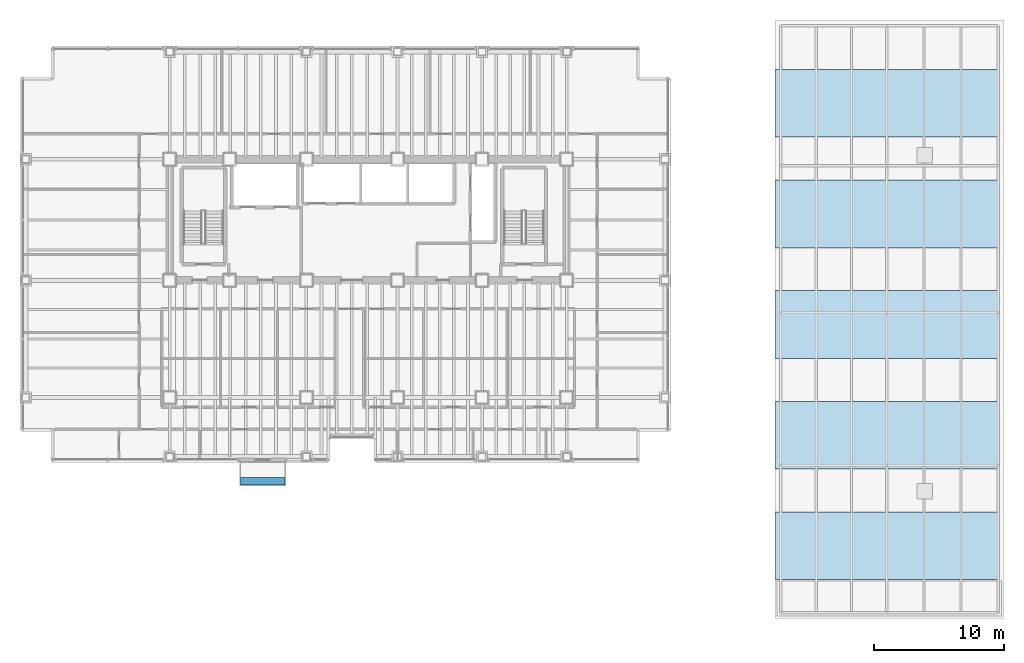
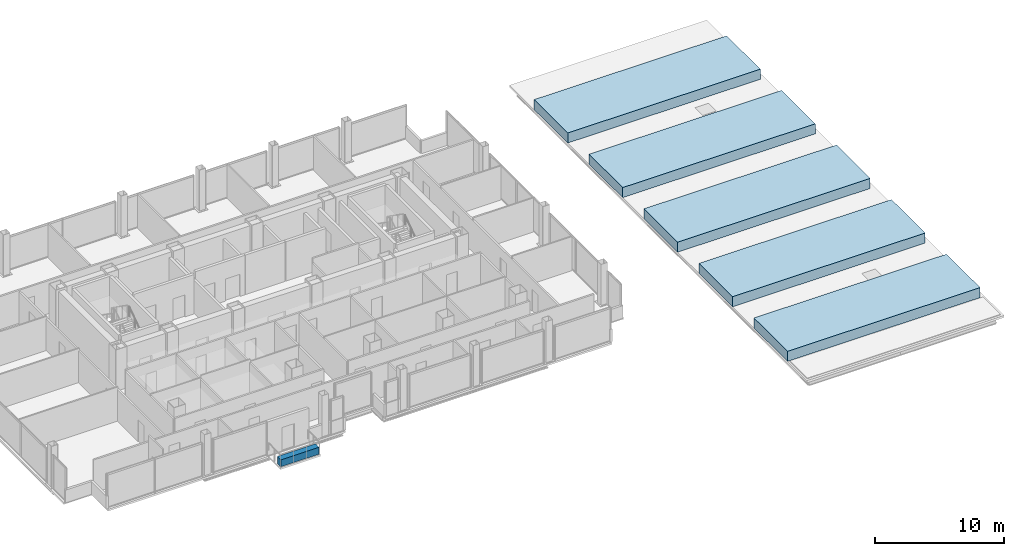
# One storey, part 28 of 30: 5 roofs, 1 discrete accessory.
"""IFC4 building model written with IfcOpenShell, lengths in metres."""

from ifc_helpers import new_model, si_unit, direction, frame, origin, origin_2d, place, context, subcontext, project, spatial, polyline, rectangle, outline, extrude, material, layer, layer_set, type_object, element, save


model = new_model("IFC4")

# Units and contexts
model_context = context("Model", 3, precision=1e-05, world=origin(), true_north=direction((0.0, 1.0)))
body_context = subcontext(model_context, "Body", "Model", "MODEL_VIEW")
ifc_project = project(units=[si_unit("LENGTHUNIT", "METRE"), si_unit("AREAUNIT", "SQUARE_METRE"), si_unit("VOLUMEUNIT", "CUBIC_METRE"), si_unit("PLANEANGLEUNIT", "RADIAN"), si_unit("MASSUNIT", "GRAM", prefix="KILO")], contexts=[model_context])

# Site, building, storey
site_placement = place(None, origin())
site = spatial("IfcSite", under=ifc_project, at=site_placement, CompositionType="ELEMENT")
building_placement = place(site_placement, origin())
building = spatial("IfcBuilding", under=site, at=building_placement, Name="Noeulbin Bourse Tower", CompositionType="ELEMENT")
storey_placement = place(building_placement, frame((0.0, 0.0, 26.5)))
storey = spatial("IfcBuildingStorey", under=building, at=storey_placement, Name="L06", CompositionType="ELEMENT", Elevation=26.5)

# Roofs
ifc_material_1 = material(Name="Zinc Standing-Seam Insulated Roof Deck")
ifc_layer_1 = layer(ifc_material_1, 0.199951171875)
ifc_layer_set_1 = layer_set([ifc_layer_1], Name="Zinc Standing-Seam Insulated Roof Deck")
roof_type = type_object("IfcRoofType", Name="ROF-SAW-MON", PredefinedType="SHED_ROOF", material=ifc_layer_set_1)
roof_1_placement = place(storey_placement, origin())
element("IfcRoof", 1, at=roof_1_placement, inside=storey, type_object=roof_type, Name="Market Hall Sawtooth Roof Monitor 1", PredefinedType="SHED_ROOF", context=body_context, shape_type="SweptSolid", body=[
    extrude(outline(polyline([(60.0, 6.0), (77.199951171875, 6.0), (77.199951171875, 11.199951171875), (60.0, 11.199951171875), (60.0, 6.0)])), origin(), (0.0, 0.0, 1.0), 0.949951171875),
])
roof_2_placement = place(storey_placement, origin())
element("IfcRoof", 2, at=roof_2_placement, inside=storey, type_object=roof_type, Name="Market Hall Sawtooth Roof Monitor 2", PredefinedType="SHED_ROOF", context=body_context, shape_type="SweptSolid", body=[
    extrude(outline(polyline([(60.0, 14.5), (77.199951171875, 14.5), (77.199951171875, 19.699951171875), (60.0, 19.699951171875), (60.0, 14.5)])), origin(), (0.0, 0.0, 1.0), 0.949951171875),
])
roof_3_placement = place(storey_placement, origin())
element("IfcRoof", 3, at=roof_3_placement, inside=storey, type_object=roof_type, Name="Market Hall Sawtooth Roof Monitor 3", PredefinedType="SHED_ROOF", context=body_context, shape_type="SweptSolid", body=[
    extrude(outline(polyline([(60.0, 23.0), (77.199951171875, 23.0), (77.199951171875, 28.199951171875), (60.0, 28.199951171875), (60.0, 23.0)])), origin(), (0.0, 0.0, 1.0), 0.949951171875),
])
roof_4_placement = place(storey_placement, origin())
element("IfcRoof", 4, at=roof_4_placement, inside=storey, type_object=roof_type, Name="Market Hall Sawtooth Roof Monitor 4", PredefinedType="SHED_ROOF", context=body_context, shape_type="SweptSolid", body=[
    extrude(outline(polyline([(60.0, 31.5), (77.199951171875, 31.5), (77.199951171875, 36.699951171875), (60.0, 36.699951171875), (60.0, 31.5)])), origin(), (0.0, 0.0, 1.0), 0.949951171875),
])
roof_5_placement = place(storey_placement, origin())
element("IfcRoof", 5, at=roof_5_placement, inside=storey, type_object=roof_type, Name="Market Hall Sawtooth Roof Monitor 5", PredefinedType="SHED_ROOF", context=body_context, shape_type="SweptSolid", body=[
    extrude(outline(polyline([(60.0, 40.0), (77.199951171875, 40.0), (77.199951171875, 45.199951171875), (60.0, 45.199951171875), (60.0, 40.0)])), origin(), (0.0, 0.0, 1.0), 0.949951171875),
])

# Discrete accessory
ifc_material_2 = material(Name="Architectural GFRC Concrete C40/50", Category="concrete")
ifc_layer_2 = layer(ifc_material_2, 0.64990234375)
ifc_layer_set_2 = layer_set([ifc_layer_2], Name="Architectural GFRC Concrete C40/50")
discrete_accessory_type = type_object("IfcDiscreteAccessoryType", Name="PLANTER-BOX-3600", PredefinedType="USERDEFINED", material=ifc_layer_set_2)
discrete_accessory_placement = place(storey_placement, frame((20.64990234375, 13.56005859375, 0.0), z_axis=(0.0, 0.0, 1.0), x_axis=(1.0, 0.0, 0.0)))
element("IfcDiscreteAccessory", 6, at=discrete_accessory_placement, inside=storey, type_object=discrete_accessory_type, Name="Integrated Balcony Tree Planter Box L06", ObjectType="PLANTER", PredefinedType="USERDEFINED", context=body_context, shape_type="SweptSolid", body=[
    extrude(rectangle(XDim=3.39990234375, YDim=0.550048828125, at=origin_2d()), origin(), (0.0, 0.0, 1.0), 0.64990234375),
])

save(model, "model.ifc")
